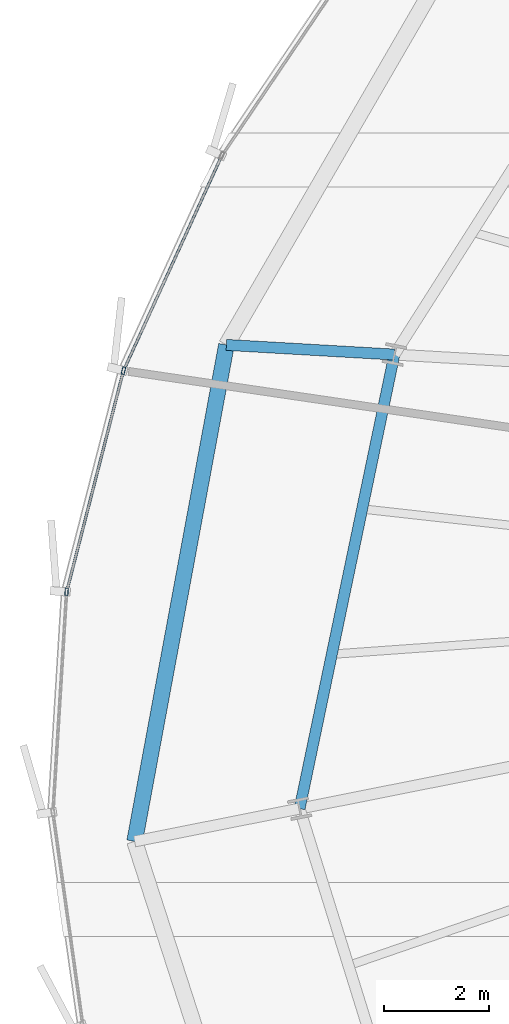
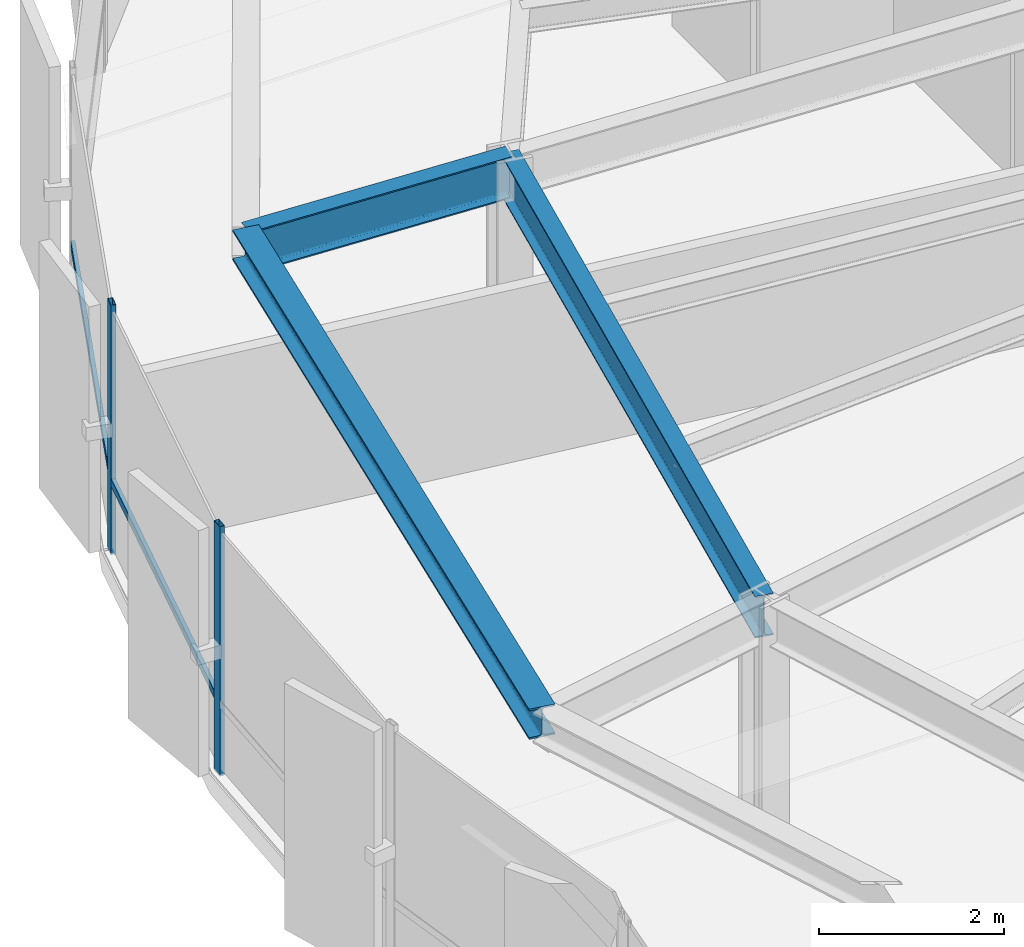
# One storey, part 10 of 35: 4 members, 3 beams, 1 element without a shape of its own.
"""IFC4 building model written with IfcOpenShell, lengths in metres."""

import ifcopenshell
import ifcopenshell.guid

model = None  # the IFC model being written
_history = None  # IfcOwnerHistory: only IFC2X3 demands one
_inside = {}  # id of a spatial element -> (the spatial element, [elements in it])
_under = {}  # id of a project, library or spatial element -> (it, [spatial elements below it])
_declared = {}  # id of a project -> (the project, [libraries it declares])
_typed = {}  # id of a type object -> (the type object, [elements of that type])
_made_of = {}  # id of a material, layer set ... -> (it, [elements and type objects made of it])


def new_model(schema):
    """Start an empty IFC model of exactly this schema.

    Asked for "IFC4X3", IfcOpenShell would pick the latest addendum, in which some entities
    have other attributes; the version numbers below select the first issue.
    IFC2X3 requires an IfcOwnerHistory on every rooted entity: one is made here for all.
    """
    global model, _history
    if schema == "IFC4X3":
        model = ifcopenshell.file(schema_version=(4, 3, 0, 0))
    else:
        model = ifcopenshell.file(schema=schema)
    _inside.clear()
    _under.clear()
    _declared.clear()
    _typed.clear()
    _made_of.clear()
    _history = None
    if model.schema == "IFC2X3":
        org = make("IfcOrganization", Name="unknown")
        user = make(
            "IfcPersonAndOrganization",
            ThePerson=make("IfcPerson", FamilyName="unknown"),
            TheOrganization=org,
        )
        app = make(
            "IfcApplication",
            ApplicationDeveloper=org,
            Version="unknown",
            ApplicationFullName="unknown",
            ApplicationIdentifier="unknown",
        )
        _history = make(
            "IfcOwnerHistory",
            OwningUser=user,
            OwningApplication=app,
            ChangeAction="ADDED",
            CreationDate=0,
        )
    return model


def make(cls, **values):
    """One entity of the class cls with the attributes given. An attribute that is None is left unset."""
    return model.create_entity(
        cls, **{name: value for name, value in values.items() if value is not None}
    )


def rooted(cls, **values):
    """An entity with a GlobalId (a new one), such as an element, a storey or a relation."""
    return make(cls, GlobalId=ifcopenshell.guid.new(), OwnerHistory=_history, **values)


def si_unit(unit_type, name, prefix=None):
    """IfcSIUnit, for example si_unit("LENGTHUNIT", "METRE", prefix="MILLI")."""
    return make("IfcSIUnit", UnitType=unit_type, Prefix=prefix, Name=name)


def assignment(units):
    """IfcUnitAssignment: the units of a project."""
    return None if units is None else make("IfcUnitAssignment", Units=units)


def point(xyz):
    """IfcCartesianPoint."""
    return None if xyz is None else make("IfcCartesianPoint", Coordinates=xyz)


def direction(xyz):
    """IfcDirection."""
    return None if xyz is None else make("IfcDirection", DirectionRatios=xyz)


def frame(location, z_axis=None, x_axis=None):
    """IfcAxis2Placement3D, a coordinate frame: its origin and axes. An axis left out is left unset."""
    return make(
        "IfcAxis2Placement3D",
        Location=point(location),
        Axis=direction(z_axis),
        RefDirection=direction(x_axis),
    )


def frame_2d(location, x_axis=None):
    """IfcAxis2Placement2D, a coordinate frame in the plane: its origin and x axis."""
    return make(
        "IfcAxis2Placement2D", Location=point(location), RefDirection=direction(x_axis)
    )


def origin():
    """The frame at (0, 0, 0) with its axes left unset."""
    return frame((0.0, 0.0, 0.0))


def origin_2d():
    """The frame at (0, 0) in the plane with its x axis left unset."""
    return frame_2d((0.0, 0.0))


def place(relative_to, where):
    """IfcLocalPlacement: puts the frame where relative to a parent placement (None: the world)."""
    return make(
        "IfcLocalPlacement", PlacementRelTo=relative_to, RelativePlacement=where
    )


def context(
    kind, dimensions, precision=None, world=None, true_north=None, identifier=None
):
    """IfcGeometricRepresentationContext, for example the 3D "Model" context."""
    return make(
        "IfcGeometricRepresentationContext",
        ContextIdentifier=identifier,
        ContextType=kind,
        CoordinateSpaceDimension=dimensions,
        Precision=precision,
        WorldCoordinateSystem=world,
        TrueNorth=true_north,
    )


def subcontext(parent, identifier, kind, view, scale=None):
    """IfcGeometricRepresentationSubContext, for example "Body" below "Model"."""
    return make(
        "IfcGeometricRepresentationSubContext",
        ContextIdentifier=identifier,
        ContextType=kind,
        ParentContext=parent,
        TargetScale=scale,
        TargetView=view,
    )


def project(units=None, contexts=None):
    """IfcProject with its units and contexts."""
    return rooted(
        "IfcProject",
        Name="project",
        RepresentationContexts=contexts,
        UnitsInContext=assignment(units),
    )


def spatial(cls, under=None, at=None, **own):
    """A site, building, storey or space (cls), placed at a placement, below another one or the project."""
    s = rooted(cls, ObjectPlacement=at, **own)
    if under is not None:
        _under.setdefault(under.id(), (under, []))[1].append(s)
    return s


def profile(cls, at=None, kind="AREA", **sizes):
    """A parametric profile (cls). Its sizes go by their IFC names, for example OverallWidth=200.0."""
    return make(cls, ProfileType=kind, Position=at, **sizes)


def hollow_rectangle(**sizes):
    """IfcRectangleHollowProfileDef."""
    return profile("IfcRectangleHollowProfileDef", **sizes)


def i_section(**sizes):
    """IfcIShapeProfileDef."""
    return profile("IfcIShapeProfileDef", **sizes)


def extrude(swept, where, along, depth):
    """IfcExtrudedAreaSolid: the profile swept, set in the frame where, extruded along a direction by depth."""
    return make(
        "IfcExtrudedAreaSolid",
        SweptArea=swept,
        Position=where,
        ExtrudedDirection=direction(along),
        Depth=depth,
    )


def shape(context_of_items, identifier, shape_type, items):
    """IfcShapeRepresentation: the items that make up one representation, for example the "Body"."""
    return make(
        "IfcShapeRepresentation",
        ContextOfItems=context_of_items,
        RepresentationIdentifier=identifier,
        RepresentationType=shape_type,
        Items=items,
    )


def source(mapping_origin, context_of_items, identifier, shape_type, items):
    """IfcRepresentationMap: a shape defined once, which mapped items show again and again."""
    return make(
        "IfcRepresentationMap",
        MappingOrigin=mapping_origin,
        MappedRepresentation=shape(context_of_items, identifier, shape_type, items),
    )


def transform(
    local_origin,
    x_axis=None,
    y_axis=None,
    z_axis=None,
    scale=None,
    scale2=None,
    scale3=None,
    uniform=True,
):
    """IfcCartesianTransformationOperator3D, or its non-uniform kind. x_axis, y_axis, z_axis: its Axis1, 2, 3."""
    if uniform:
        return make(
            "IfcCartesianTransformationOperator3D",
            Axis1=direction(x_axis),
            Axis2=direction(y_axis),
            LocalOrigin=point(local_origin),
            Scale=scale,
            Axis3=direction(z_axis),
        )
    return make(
        "IfcCartesianTransformationOperator3DnonUniform",
        Axis1=direction(x_axis),
        Axis2=direction(y_axis),
        LocalOrigin=point(local_origin),
        Scale=scale,
        Axis3=direction(z_axis),
        Scale2=scale2,
        Scale3=scale3,
    )


def mapped(mapping_source, mapping_target):
    """IfcMappedItem: shows the shape of a source again, moved by a transform."""
    return make(
        "IfcMappedItem", MappingSource=mapping_source, MappingTarget=mapping_target
    )


def material(Name=None, Category=None):
    """IfcMaterial."""
    return make("IfcMaterial", Name=Name, Category=Category)


def layer(
    of_material, thickness, ventilated=None, Name=None, Category=None, Priority=None
):
    """IfcMaterialLayer: one layer of a wall or slab, of a material (None: an air gap)."""
    return make(
        "IfcMaterialLayer",
        Material=of_material,
        LayerThickness=thickness,
        IsVentilated=ventilated,
        Name=Name,
        Category=Category,
        Priority=Priority,
    )


def layer_set(layers, Name=None):
    """IfcMaterialLayerSet."""
    return make("IfcMaterialLayerSet", MaterialLayers=layers, LayerSetName=Name)


def material_profile(
    of_material, cross_section, Name=None, Category=None, Priority=None
):
    """IfcMaterialProfile: a cross section and its material."""
    return make(
        "IfcMaterialProfile",
        Name=Name,
        Material=of_material,
        Profile=cross_section,
        Priority=Priority,
        Category=Category,
    )


def profile_set(profiles, Name=None, composite=None):
    """IfcMaterialProfileSet."""
    return make(
        "IfcMaterialProfileSet",
        Name=Name,
        MaterialProfiles=profiles,
        CompositeProfile=composite,
    )


def made_of(thing, what):
    """Note that an element or type object is made of a material, layer set ...; save() writes the relation."""
    if what is not None:
        _made_of.setdefault(what.id(), (what, []))[1].append(thing)
    return thing


def type_object(cls, material=None, **own):
    """A type object (cls), such as IfcWallType, which elements share."""
    return made_of(rooted(cls, **own), material)


def element(
    cls,
    number,
    at=None,
    inside=None,
    cuts=None,
    type_object=None,
    material=None,
    context=None,
    identifier="Body",
    shape_type=None,
    held_by="IfcProductDefinitionShape",
    body=None,
    shapes=None,
    **own,
):
    """One element of the class cls, such as IfcWall. Its Tag is "e" and its number.

    at: its placement. inside: the storey or other place that contains it. cuts: it is an
    opening in that element (IfcRelVoidsElement). A single representation is given by context,
    identifier, shape_type and body (its items); several are given by shapes. held_by: the class
    of the entity that holds the representations. save() writes the other relations.
    """
    e = rooted(cls, Tag="e%d" % number, ObjectPlacement=at, **own)
    if body is not None:
        shapes = [shape(context, identifier, shape_type, body)]
    if shapes is not None:
        e.Representation = make(held_by, Representations=shapes)
    if inside is not None:
        _inside.setdefault(inside.id(), (inside, []))[1].append(e)
    if cuts is not None:
        rooted(
            "IfcRelVoidsElement", RelatingBuildingElement=cuts, RelatedOpeningElement=e
        )
    if type_object is not None:
        _typed.setdefault(type_object.id(), (type_object, []))[1].append(e)
    return made_of(e, material)


def aggregate(whole, parts):
    """IfcRelAggregates: a whole, such as a stair, and the parts it consists of."""
    return rooted("IfcRelAggregates", RelatingObject=whole, RelatedObjects=parts)


def save(model, path):
    """Write the relations noted so far, then the file.

    IfcRelAggregates (storeys below a building ...), IfcRelContainedInSpatialStructure (elements
    in a storey), IfcRelDefinesByType, IfcRelAssociatesMaterial and IfcRelDeclares: one each for
    every whole, place, type object, material and project.
    """
    for whole, parts in _under.values():
        aggregate(whole, parts)
    for where, things in _inside.values():
        rooted(
            "IfcRelContainedInSpatialStructure",
            RelatedElements=things,
            RelatingStructure=where,
        )
    for kind, things in _typed.values():
        rooted("IfcRelDefinesByType", RelatedObjects=things, RelatingType=kind)
    for what, things in _made_of.values():
        rooted("IfcRelAssociatesMaterial", RelatedObjects=things, RelatingMaterial=what)
    for by, libraries in _declared.values():
        rooted("IfcRelDeclares", RelatingContext=by, RelatedDefinitions=libraries)
    model.write(path)


model = new_model("IFC4")

# Units and contexts
model_context = context("Model", 3, precision=1e-05, world=origin(), true_north=direction((0.0, 1.0)))
body_context = subcontext(model_context, "Body", "Model", "MODEL_VIEW")
ifc_project = project(units=[si_unit("LENGTHUNIT", "METRE"), si_unit("AREAUNIT", "SQUARE_METRE"), si_unit("VOLUMEUNIT", "CUBIC_METRE"), si_unit("PLANEANGLEUNIT", "RADIAN"), si_unit("MASSUNIT", "GRAM", prefix="KILO"), si_unit("THERMODYNAMICTEMPERATUREUNIT", "KELVIN")], contexts=[model_context])

# Site, building, storey
site_placement = place(None, origin())
site = spatial("IfcSite", under=ifc_project, at=site_placement, CompositionType="ELEMENT")
building_placement = place(site_placement, origin())
building = spatial("IfcBuilding", under=site, at=building_placement, Name="Kethvar Cultural Tower", CompositionType="ELEMENT")
storey_placement = place(building_placement, frame((0.0, 0.0, 139.449951171875)))
storey = spatial("IfcBuildingStorey", under=building, at=storey_placement, Name="L35", CompositionType="ELEMENT", Elevation=139.449951171875)

# Beams
ifc_material_1 = material(Name="Steel S355J2", Category="steel")
ifc_material_profile_1 = material_profile(ifc_material_1, i_section(OverallWidth=0.2099609375, OverallDepth=0.550048828125, WebThickness=0.010986328125, FlangeThickness=0.01708984375, FilletRadius=0.02392578125, at=origin_2d()), Name="Steel S355J2 — IPE550")
ifc_profile_set_1 = profile_set([ifc_material_profile_1], Name="Steel S355J2 — IPE550")
beam_type_1 = type_object("IfcBeamType", Name="BM-IPE550", PredefinedType="BEAM", material=ifc_profile_set_1)
shared_shape_1 = source(origin(), body_context, "Body", "SweptSolid", [
    extrude(i_section(OverallWidth=0.2099609375, OverallDepth=0.550048828125, WebThickness=0.010986328125, FlangeThickness=0.01708984375, FilletRadius=0.02392578125, at=origin_2d()), origin(), (0.0, 0.0, 1.0), 3.2001953125),
])
beam_1_placement = place(storey_placement, frame((25.988525390625, 31.939697265625, 3.02294921875), z_axis=(-0.998357274949, 0.057295301352, 0.0), x_axis=(-0.057295301352, -0.998357274949, 0.0)))
element("IfcBeam", 1, at=beam_1_placement, inside=storey, type_object=beam_type_1, Name="L35 Perimeter Cantilever Beam RC-08", PredefinedType="BEAM", context=body_context, shape_type="MappedRepresentation", body=[
    mapped(shared_shape_1, transform((0.0, 0.0, 0.0), scale=1.0)),
])
shared_shape_2 = source(origin(), body_context, "Body", "SweptSolid", [
    extrude(i_section(OverallWidth=0.2099609375, OverallDepth=0.550048828125, WebThickness=0.010986328125, FlangeThickness=0.01708984375, FilletRadius=0.02392578125, at=origin_2d()), origin(), (0.0, 0.0, 1.0), 8.82421875),
])
beam_2_placement = place(storey_placement, frame((25.988525390625, 31.939697265625, 3.02294921875), z_axis=(-0.204350879122, -0.978897705688, 0.0), x_axis=(0.978897705688, -0.204350879122, 0.0)))
element("IfcBeam", 2, at=beam_2_placement, inside=storey, type_object=beam_type_1, Name="L35 Column Ring Tie Beam CR-08", PredefinedType="BEAM", context=body_context, shape_type="MappedRepresentation", body=[
    mapped(shared_shape_2, transform((0.0, 0.0, 0.0), scale=1.0)),
])
ifc_material_profile_2 = material_profile(ifc_material_1, i_section(OverallWidth=0.300048828125, OverallDepth=0.39990234375, WebThickness=0.013427734375, FlangeThickness=0.02392578125, FilletRadius=0.027099609375, at=origin_2d()), Name="Steel S355J2 — HEB400")
ifc_profile_set_2 = profile_set([ifc_material_profile_2], Name="Steel S355J2 — HEB400")
beam_type_2 = type_object("IfcBeamType", Name="BM-SP400", PredefinedType="SPANDREL", material=ifc_profile_set_2)
shared_shape_3 = source(origin(), body_context, "Body", "SweptSolid", [
    extrude(i_section(OverallWidth=0.300048828125, OverallDepth=0.39990234375, WebThickness=0.013427734375, FlangeThickness=0.02392578125, FilletRadius=0.027099609375, at=origin_2d()), origin(), (0.0, 0.0, 1.0), 9.605712890625),
])
beam_3_placement = place(storey_placement, frame((22.793701171875, 32.123046875, 3.09814453125), z_axis=(-0.1818526217, -0.983325797476, 0.0), x_axis=(0.983325797476, -0.1818526217, 0.0)))
element("IfcBeam", 3, at=beam_3_placement, inside=storey, type_object=beam_type_2, Name="L35 Perimeter Spandrel Beam SP-08", PredefinedType="SPANDREL", context=body_context, shape_type="MappedRepresentation", body=[
    mapped(shared_shape_3, transform((0.0, 0.0, 0.0), scale=1.0)),
])

# Curtain wall, members
ifc_material_2 = material(Name="Aluminium 6063-T6", Category="aluminium")
ifc_layer = layer(ifc_material_2, 0.179931640625, Name="Aluminium 6063-T6", Category="aluminium")
ifc_layer_set = layer_set([ifc_layer], Name="Aluminium 6063-T6 (180 mm)")
curtain_wall_type = type_object("IfcCurtainWallType", Name="CW-SYS-04-Z34", PredefinedType="NOTDEFINED", material=ifc_layer_set)
curtain_wall_placement = place(storey_placement, origin())
curtain_wall = element("IfcCurtainWall", 4, at=curtain_wall_placement, inside=storey, type_object=curtain_wall_type, Name="L35 Curtain Wall Run 03", PredefinedType="NOTDEFINED")
ifc_material_profile_3 = material_profile(ifc_material_2, hollow_rectangle(XDim=0.06005859375, YDim=0.139892578125, WallThickness=0.0048828125, at=origin_2d()), Name="Aluminium 6063-T6 — RHS140x60x5")
ifc_profile_set_3 = profile_set([ifc_material_profile_3], Name="Aluminium 6063-T6 — RHS140x60x5")
member_type_1 = type_object("IfcMemberType", Name="CW-SYS-04-Z34-MUL", PredefinedType="MULLION", material=ifc_profile_set_3)
shared_shape_4 = source(origin(), body_context, "Body", "SweptSolid", [
    extrude(hollow_rectangle(XDim=0.06005859375, YDim=0.139892578125, WallThickness=0.0048828125, at=origin_2d()), origin(), (0.0, 0.0, 1.0), 3.300048828125),
])
member_1_placement = place(storey_placement, frame((20.83447265625, 31.63330078125, 0.0), z_axis=(0.0, 0.0, 1.0), x_axis=(0.968574479624, -0.248723696944, 0.0)))
member_1 = element("IfcMember", 5, at=member_1_placement, type_object=member_type_1, Name="CW-L35-R03 Mullion 3", PredefinedType="MULLION", context=body_context, shape_type="MappedRepresentation", body=[
    mapped(shared_shape_4, transform((0.0, 0.0, 0.0), scale=1.0)),
])
member_2_placement = place(storey_placement, frame((19.75244140625, 27.42724609375, 0.0), z_axis=(0.0, 0.0, 1.0), x_axis=(0.998100546814, -0.06160599362, 0.0)))
member_2 = element("IfcMember", 6, at=member_2_placement, type_object=member_type_1, Name="CW-L35-R03 Mullion 4", PredefinedType="MULLION", context=body_context, shape_type="MappedRepresentation", body=[
    mapped(shared_shape_4, transform((0.0, 0.0, 0.0), scale=1.0)),
])
ifc_material_profile_4 = material_profile(ifc_material_2, hollow_rectangle(XDim=0.050048828125, YDim=0.10009765625, WallThickness=0.00390625, at=origin_2d()), Name="Aluminium 6063-T6 — RHS100x50x4")
ifc_profile_set_4 = profile_set([ifc_material_profile_4], Name="Aluminium 6063-T6 — RHS100x50x4")
member_type_2 = type_object("IfcMemberType", Name="CW-SYS-04-Z34-TRN", PredefinedType="USERDEFINED", material=ifc_profile_set_4)
shared_shape_5 = source(origin(), body_context, "Body", "SweptSolid", [
    extrude(hollow_rectangle(XDim=0.050048828125, YDim=0.10009765625, WallThickness=0.00390625, at=origin_2d()), origin(), (0.0, 0.0, 1.0), 4.431640625),
])
member_3_placement = place(storey_placement, frame((22.687744140625, 35.68505859375, 0.949951171875), z_axis=(-0.415603521494, -0.909545882802, 0.0), x_axis=(0.909545882802, -0.415603521494, 0.0)))
member_3 = element("IfcMember", 7, at=member_3_placement, type_object=member_type_2, Name="CW-L35-R03 Transom 2", ObjectType="TRANSOM", PredefinedType="USERDEFINED", context=body_context, shape_type="MappedRepresentation", body=[
    mapped(shared_shape_5, transform((0.0, 0.0, 0.0), scale=1.0)),
])
shared_shape_6 = source(origin(), body_context, "Body", "SweptSolid", [
    extrude(hollow_rectangle(XDim=0.050048828125, YDim=0.10009765625, WallThickness=0.00390625, at=origin_2d()), origin(), (0.0, 0.0, 1.0), 4.27734375),
])
member_4_placement = place(storey_placement, frame((20.82373046875, 31.591552734375, 0.949951171875), z_axis=(-0.248681564155, -0.968585298076, 0.0), x_axis=(0.968585298076, -0.248681564155, 0.0)))
member_4 = element("IfcMember", 8, at=member_4_placement, type_object=member_type_2, Name="CW-L35-R03 Transom 3", ObjectType="TRANSOM", PredefinedType="USERDEFINED", context=body_context, shape_type="MappedRepresentation", body=[
    mapped(shared_shape_6, transform((0.0, 0.0, 0.0), scale=1.0)),
])
aggregate(curtain_wall, [member_1, member_2, member_3, member_4])

save(model, "model.ifc")
